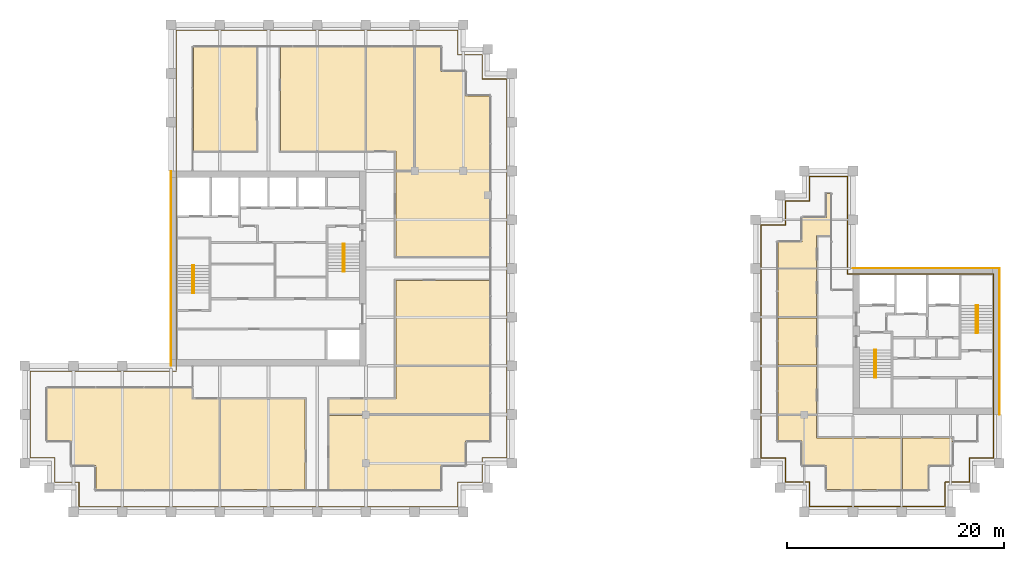
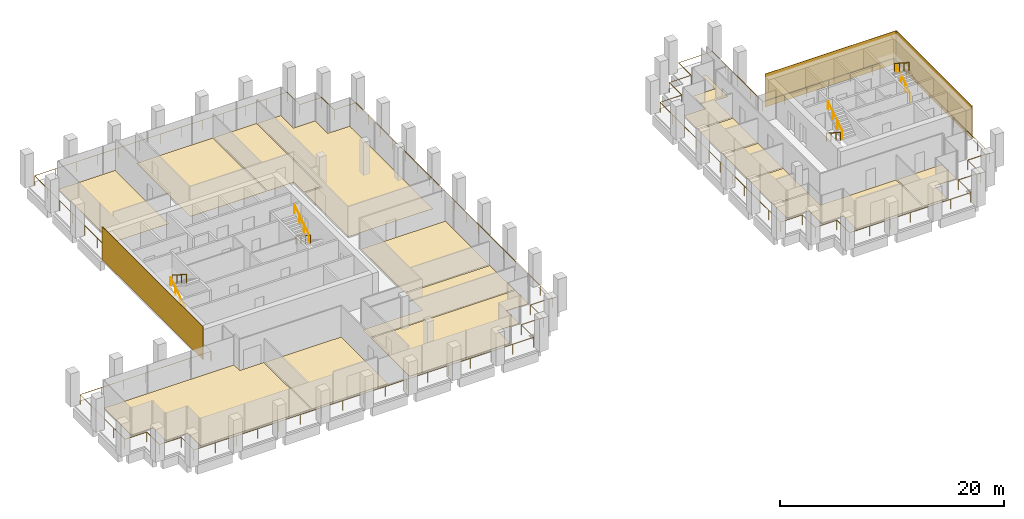
# One storey, part 40 of 40: 18 coverings, 10 railings.
"""IFC4 building model written with IfcOpenShell, lengths in metres."""

from ifc_helpers import new_model, si_unit, direction, frame, origin, origin_2d, place, context, subcontext, project, spatial, polyline, rectangle, circle, outline, extrude, source, transform, mapped, material, layer, layer_set, type_object, element, save


model = new_model("IFC4")

# Units and contexts
model_context = context("Model", 3, precision=1e-05, world=origin(), true_north=direction((0.0, 1.0)))
body_context = subcontext(model_context, "Body", "Model", "MODEL_VIEW")
ifc_project = project(units=[si_unit("LENGTHUNIT", "METRE"), si_unit("AREAUNIT", "SQUARE_METRE"), si_unit("VOLUMEUNIT", "CUBIC_METRE"), si_unit("PLANEANGLEUNIT", "RADIAN"), si_unit("MASSUNIT", "GRAM", prefix="KILO")], contexts=[model_context])

# Site, building, storey
site_placement = place(None, origin())
site = spatial("IfcSite", under=ifc_project, at=site_placement, CompositionType="ELEMENT")
building_placement = place(site_placement, origin())
building = spatial("IfcBuilding", under=site, at=building_placement, Name="Altepetl Exchange Towers", CompositionType="ELEMENT")
storey_placement = place(building_placement, frame((0.0, 0.0, 187.0)))
storey = spatial("IfcBuildingStorey", under=building, at=storey_placement, Name="L47", CompositionType="ELEMENT", Elevation=187.0)

# Coverings
ifc_material_1 = material(Name="Carpet tile")
ifc_layer_1 = layer(ifc_material_1, 0.02001953125)
ifc_layer_set_1 = layer_set([ifc_layer_1], Name="Carpet tile")
covering_type_1 = type_object("IfcCoveringType", Name="Carpet tile floor", PredefinedType="FLOORING", material=ifc_layer_set_1)
covering_1_placement = place(storey_placement, origin())
element("IfcCovering", 1, at=covering_1_placement, inside=storey, type_object=covering_type_1, Name="Fund office floor finish A47.02", PredefinedType="FLOORING", context=body_context, shape_type="SweptSolid", body=[
    extrude(outline(polyline([(45.0625, 37.4375), (45.0625, 29.0625), (52.887451171875, 29.0625), (52.887451171875, 37.4375), (45.0625, 37.4375)])), origin(), (0.0, 0.0, 1.0), 0.02001953125),
])
covering_2_placement = place(storey_placement, origin())
element("IfcCovering", 2, at=covering_2_placement, inside=storey, type_object=covering_type_1, Name="Print room floor finish A47.04", PredefinedType="FLOORING", context=body_context, shape_type="SweptSolid", body=[
    extrude(outline(polyline([(55.112548828125, 36.0625), (69.9375, 36.0625), (69.9375, 40.4375), (61.262451171875, 40.4375), (61.262451171875, 37.4375), (55.112548828125, 37.4375), (55.112548828125, 36.0625)])), origin(), (0.0, 0.0, 1.0), 0.02001953125),
])
covering_3_placement = place(storey_placement, origin())
element("IfcCovering", 3, at=covering_3_placement, inside=storey, type_object=covering_type_1, Name="Open office floor finish A47.05", PredefinedType="FLOORING", context=body_context, shape_type="SweptSolid", body=[
    extrude(outline(polyline([(61.262451171875, 40.5625), (69.9375, 40.5625), (69.9375, 48.387451171875), (61.262451171875, 48.387451171875), (61.262451171875, 40.5625)])), origin(), (0.0, 0.0, 1.0), 0.02001953125),
])
covering_4_placement = place(storey_placement, origin())
element("IfcCovering", 4, at=covering_4_placement, inside=storey, type_object=covering_type_1, Name="Fund office floor finish A47.06", PredefinedType="FLOORING", context=body_context, shape_type="SweptSolid", body=[
    extrude(outline(polyline([(61.262451171875, 50.612548828125), (69.9375, 50.612548828125), (69.9375, 65.4375), (67.6875, 65.4375), (67.6875, 67.6875), (65.4375, 67.6875), (65.4375, 69.9375), (63.0625, 69.9375), (63.0625, 58.4375), (61.262451171875, 58.4375), (61.262451171875, 50.612548828125)])), origin(), (0.0, 0.0, 1.0), 0.02001953125),
])
covering_5_placement = place(storey_placement, origin())
element("IfcCovering", 5, at=covering_5_placement, inside=storey, type_object=covering_type_1, Name="Huddle room floor finish A47.08", PredefinedType="FLOORING", context=body_context, shape_type="SweptSolid", body=[
    extrude(outline(polyline([(42.5625, 60.362548828125), (48.387451171875, 60.362548828125), (48.387451171875, 69.9375), (42.5625, 69.9375), (42.5625, 60.362548828125)])), origin(), (0.0, 0.0, 1.0), 0.02001953125),
])
covering_6_placement = place(storey_placement, origin())
element("IfcCovering", 6, at=covering_6_placement, inside=storey, type_object=covering_type_1, Name="Fund office floor finish B47.01", PredefinedType="FLOORING", context=body_context, shape_type="SweptSolid", body=[
    extrude(outline(polyline([(96.5625, 40.5625), (100.137451171875, 40.5625), (100.137451171875, 44.9375), (96.5625, 44.9375), (96.5625, 40.5625)])), origin(), (0.0, 0.0, 1.0), 0.02001953125),
])
covering_7_placement = place(storey_placement, origin())
element("IfcCovering", 7, at=covering_7_placement, inside=storey, type_object=covering_type_1, Name="Fund office floor finish B47.02", PredefinedType="FLOORING", context=body_context, shape_type="SweptSolid", body=[
    extrude(outline(polyline([(96.5625, 36.0625), (100.137451171875, 36.0625), (100.137451171875, 40.4375), (96.5625, 40.4375), (96.5625, 36.0625)])), origin(), (0.0, 0.0, 1.0), 0.02001953125),
])
covering_8_placement = place(storey_placement, origin())
element("IfcCovering", 8, at=covering_8_placement, inside=storey, type_object=covering_type_1, Name="Open office floor finish B47.03", PredefinedType="FLOORING", context=body_context, shape_type="SweptSolid", body=[
    extrude(outline(polyline([(98.8125, 33.5625), (98.8125, 31.3125), (101.0625, 31.3125), (101.0625, 29.0625), (107.9375, 29.0625), (107.9375, 33.83740234375), (100.137451171875, 33.83740234375), (100.137451171875, 35.9375), (96.5625, 35.9375), (96.5625, 33.5625), (98.8125, 33.5625)])), origin(), (0.0, 0.0, 1.0), 0.02001953125),
])
covering_9_placement = place(storey_placement, origin())
element("IfcCovering", 9, at=covering_9_placement, inside=storey, type_object=covering_type_1, Name="Meeting room floor finish B47.05", PredefinedType="FLOORING", context=body_context, shape_type="SweptSolid", body=[
    extrude(outline(polyline([(96.5625, 49.5625), (100.137451171875, 49.5625), (100.137451171875, 52.5625), (101.4375, 52.5625), (101.4375, 56.4375), (101.0625, 56.4375), (101.0625, 54.1875), (98.8125, 54.1875), (98.8125, 51.9375), (96.5625, 51.9375), (96.5625, 49.5625)])), origin(), (0.0, 0.0, 1.0), 0.02001953125),
])
covering_10_placement = place(storey_placement, origin())
element("IfcCovering", 10, at=covering_10_placement, inside=storey, type_object=covering_type_1, Name="Fund office floor finish B47.06", PredefinedType="FLOORING", context=body_context, shape_type="SweptSolid", body=[
    extrude(outline(polyline([(96.5625, 45.0625), (100.137451171875, 45.0625), (100.137451171875, 49.4375), (96.5625, 49.4375), (96.5625, 45.0625)])), origin(), (0.0, 0.0, 1.0), 0.02001953125),
])
ifc_material_2 = material(Name="Cantera stone", Category="masonry")
ifc_layer_2 = layer(ifc_material_2, 0.030029296875)
ifc_layer_set_2 = layer_set([ifc_layer_2], Name="Cantera stone")
covering_type_2 = type_object("IfcCoveringType", Name="Polished stone floor", PredefinedType="FLOORING", material=ifc_layer_set_2)
covering_11_placement = place(storey_placement, origin())
element("IfcCovering", 11, at=covering_11_placement, inside=storey, type_object=covering_type_2, Name="Staff club floor finish A47.03", PredefinedType="FLOORING", context=body_context, shape_type="SweptSolid", body=[
    extrude(outline(polyline([(44.9375, 37.4375), (42.4375, 37.4375), (42.4375, 38.4375), (29.0625, 38.4375), (29.0625, 33.5625), (31.3125, 33.5625), (31.3125, 31.3125), (33.5625, 31.3125), (33.5625, 29.0625), (44.9375, 29.0625), (44.9375, 37.4375)])), origin(), (0.0, 0.0, 1.0), 0.030029296875),
])
covering_12_placement = place(storey_placement, origin())
element("IfcCovering", 12, at=covering_12_placement, inside=storey, type_object=covering_type_2, Name="Library floor finish A47.09", PredefinedType="FLOORING", context=body_context, shape_type="SweptSolid", body=[
    extrude(outline(polyline([(58.4375, 60.362548828125), (58.4375, 69.9375), (50.612548828125, 69.9375), (50.612548828125, 60.362548828125), (58.4375, 60.362548828125)])), origin(), (0.0, 0.0, 1.0), 0.030029296875),
])
covering_13_placement = place(storey_placement, origin())
element("IfcCovering", 13, at=covering_13_placement, inside=storey, type_object=covering_type_2, Name="Cafe floor finish B47.04", PredefinedType="FLOORING", context=body_context, shape_type="SweptSolid", body=[
    extrude(outline(polyline([(108.0625, 33.83740234375), (108.0625, 29.0625), (110.4375, 29.0625), (110.4375, 31.3125), (112.6875, 31.3125), (112.6875, 33.83740234375), (108.0625, 33.83740234375)])), origin(), (0.0, 0.0, 1.0), 0.030029296875),
])
ifc_material_3 = material(Name="Calcium sulphate access floor panel")
ifc_layer_3 = layer(ifc_material_3, 0.0400390625)
ifc_layer_set_3 = layer_set([ifc_layer_3], Name="Calcium sulphate access floor panel")
covering_type_3 = type_object("IfcCoveringType", Name="Raised access floor panels", PredefinedType="FLOORING", material=ifc_layer_set_3)
covering_14_placement = place(storey_placement, origin())
element("IfcCovering", 14, at=covering_14_placement, inside=storey, type_object=covering_type_3, Name="Treasury office floor finish A47.01", PredefinedType="FLOORING", context=body_context, shape_type="SweptSolid", body=[
    extrude(outline(polyline([(67.6875, 31.3125), (67.6875, 33.5625), (69.9375, 33.5625), (69.9375, 35.9375), (55.112548828125, 35.9375), (55.112548828125, 29.0625), (65.4375, 29.0625), (65.4375, 31.3125), (67.6875, 31.3125)])), origin(), (0.0, 0.0, 1.0), 0.0400390625),
])
covering_15_placement = place(storey_placement, origin())
element("IfcCovering", 15, at=covering_15_placement, inside=storey, type_object=covering_type_3, Name="Data room floor finish A47.07", PredefinedType="FLOORING", context=body_context, shape_type="SweptSolid", body=[
    extrude(outline(polyline([(61.262451171875, 58.5625), (62.9375, 58.5625), (62.9375, 69.9375), (58.5625, 69.9375), (58.5625, 60.362548828125), (61.262451171875, 60.362548828125), (61.262451171875, 58.5625)])), origin(), (0.0, 0.0, 1.0), 0.0400390625),
])
ifc_material_4 = material(Name="Cantera limestone cladding", Category="masonry")
ifc_layer_4 = layer(ifc_material_4, 0.0400390625)
ifc_layer_set_4 = layer_set([ifc_layer_4], Name="Cantera limestone cladding")
covering_type_4 = type_object("IfcCoveringType", Name="Stone panel 40 cantera", PredefinedType="CLADDING", material=ifc_layer_set_4)
covering_16_placement = place(storey_placement, frame((40.47998046875, 49.5, 0.0), z_axis=(0.0, 0.0, 1.0), x_axis=(0.0, -1.0, 0.0)))
element("IfcCovering", 16, at=covering_16_placement, inside=storey, type_object=covering_type_4, Name="Stone cladding panel", PredefinedType="CLADDING", context=body_context, shape_type="SweptSolid", body=[
    extrude(rectangle(XDim=18.0, YDim=0.0400390625, at=origin_2d()), origin(), (0.0, 0.0, 1.0), 3.60009765625),
])
for number, where, z_axis, x_axis, name in (
    (17, (117.02001953125, 42.75, 0.0), (0.0, 0.0, 1.0), (0.0, 1.0, 0.0), "Stone cladding panel"),
    (18, (110.25, 49.52001953125, 0.0), (0.0, 0.0, 1.0), (-1.0, 0.0, 0.0), "Stone cladding panel"),
):
    element("IfcCovering", number, at=place(storey_placement, frame(where, z_axis=z_axis, x_axis=x_axis)), inside=storey, type_object=covering_type_4, Name=name, PredefinedType="CLADDING", context=body_context, shape_type="SweptSolid", body=[
        extrude(rectangle(XDim=13.5, YDim=0.0400390625, at=origin_2d()), origin(), (0.0, 0.0, 1.0), 3.60009765625),
    ])

# Railings
ifc_material_5 = material(Name="Steel S355", Category="steel")
railing_type_1 = type_object("IfcRailingType", Name="Guard 1100 steel posts and rail", PredefinedType="GUARDRAIL", material=ifc_material_5)
shared_shape_1 = source(origin(), body_context, "Body", "SweptSolid", [
    extrude(circle(Radius=0.02099609375, at=origin_2d()), origin(), (0.0, 0.0, 1.0), 1.052001953125),
])
railing_1_placement = place(storey_placement, frame((41.0, 40.0, 0.0)))
element("IfcRailing", 19, at=railing_1_placement, inside=storey, type_object=railing_type_1, Name="Loggia guard", PredefinedType="GUARDRAIL", context=body_context, shape_type="SweptSolid", body=[
    extrude(circle(Radius=0.02392578125, at=origin_2d()), frame((0.0, 0.0, 1.076171875), z_axis=(-1.0, 0.0, 0.0), x_axis=(0.0, -1.0, 0.0)), (0.0, 0.0, 1.0), 13.5),
    extrude(circle(Radius=0.02392578125, at=origin_2d()), frame((-13.5, 0.0, 1.076171875), z_axis=(0.0, -1.0, 0.0), x_axis=(1.0, 0.0, 0.0)), (0.0, 0.0, 1.0), 8.0),
    extrude(circle(Radius=0.02392578125, at=origin_2d()), frame((-13.5, -8.0, 1.076171875), z_axis=(1.0, 0.0, 0.0), x_axis=(0.0, 1.0, 0.0)), (0.0, 0.0, 1.0), 2.25),
    extrude(circle(Radius=0.02392578125, at=origin_2d()), frame((-11.25, -8.0, 1.076171875), z_axis=(0.0, -1.0, 0.0), x_axis=(1.0, 0.0, 0.0)), (0.0, 0.0, 1.0), 2.25),
    extrude(circle(Radius=0.02392578125, at=origin_2d()), frame((-11.25, -10.25, 1.076171875), z_axis=(1.0, 0.0, 0.0), x_axis=(0.0, 1.0, 0.0)), (0.0, 0.0, 1.0), 2.25),
    extrude(circle(Radius=0.02392578125, at=origin_2d()), frame((-9.0, -10.25, 1.076171875), z_axis=(0.0, -1.0, 0.0), x_axis=(1.0, 0.0, 0.0)), (0.0, 0.0, 1.0), 2.25),
    extrude(circle(Radius=0.02392578125, at=origin_2d()), frame((-9.0, -12.5, 1.076171875), z_axis=(1.0, 0.0, 0.0), x_axis=(0.0, 1.0, 0.0)), (0.0, 0.0, 1.0), 35.0),
    extrude(circle(Radius=0.02392578125, at=origin_2d()), frame((26.0, -12.5, 1.076171875), z_axis=(0.0, 1.0, 0.0), x_axis=(-1.0, 0.0, 0.0)), (0.0, 0.0, 1.0), 2.25),
    extrude(circle(Radius=0.02392578125, at=origin_2d()), frame((26.0, -10.25, 1.076171875), z_axis=(1.0, 0.0, 0.0), x_axis=(0.0, 1.0, 0.0)), (0.0, 0.0, 1.0), 2.25),
    extrude(circle(Radius=0.02392578125, at=origin_2d()), frame((28.25, -10.25, 1.076171875), z_axis=(0.0, 1.0, 0.0), x_axis=(-1.0, 0.0, 0.0)), (0.0, 0.0, 1.0), 2.25),
    extrude(circle(Radius=0.02392578125, at=origin_2d()), frame((28.25, -8.0, 1.076171875), z_axis=(1.0, 0.0, 0.0), x_axis=(0.0, 1.0, 0.0)), (0.0, 0.0, 1.0), 2.25),
    extrude(circle(Radius=0.02392578125, at=origin_2d()), frame((30.5, -8.0, 1.076171875), z_axis=(0.0, 1.0, 0.0), x_axis=(-1.0, 0.0, 0.0)), (0.0, 0.0, 1.0), 35.0),
    extrude(circle(Radius=0.02392578125, at=origin_2d()), frame((30.5, 27.0, 1.076171875), z_axis=(-1.0, 0.0, 0.0), x_axis=(0.0, -1.0, 0.0)), (0.0, 0.0, 1.0), 2.25),
    extrude(circle(Radius=0.02392578125, at=origin_2d()), frame((28.25, 27.0, 1.076171875), z_axis=(0.0, 1.0, 0.0), x_axis=(-1.0, 0.0, 0.0)), (0.0, 0.0, 1.0), 2.25),
    extrude(circle(Radius=0.02392578125, at=origin_2d()), frame((28.25, 29.25, 1.076171875), z_axis=(-1.0, 0.0, 0.0), x_axis=(0.0, -1.0, 0.0)), (0.0, 0.0, 1.0), 2.25),
    extrude(circle(Radius=0.02392578125, at=origin_2d()), frame((26.0, 29.25, 1.076171875), z_axis=(0.0, 1.0, 0.0), x_axis=(-1.0, 0.0, 0.0)), (0.0, 0.0, 1.0), 2.25),
    extrude(circle(Radius=0.02392578125, at=origin_2d()), frame((26.0, 31.5, 1.076171875), z_axis=(-1.0, 0.0, 0.0), x_axis=(0.0, -1.0, 0.0)), (0.0, 0.0, 1.0), 26.0),
    extrude(circle(Radius=0.02392578125, at=origin_2d()), frame((0.0, 31.5, 1.076171875), z_axis=(0.0, -1.0, 0.0), x_axis=(1.0, 0.0, 0.0)), (0.0, 0.0, 1.0), 31.39990234375),
    mapped(shared_shape_1, transform((0.0, 0.0, 0.0))),
    mapped(shared_shape_1, transform((-2.25, 0.0, 0.0))),
    mapped(shared_shape_1, transform((-4.5, 0.0, 0.0))),
    mapped(shared_shape_1, transform((-6.75, 0.0, 0.0))),
    mapped(shared_shape_1, transform((-9.0, 0.0, 0.0))),
    mapped(shared_shape_1, transform((-11.25, 0.0, 0.0))),
    mapped(shared_shape_1, transform((-13.5, 0.0, 0.0))),
    mapped(shared_shape_1, transform((-13.5, -2.0, 0.0))),
    mapped(shared_shape_1, transform((-13.5, -4.0, 0.0))),
    mapped(shared_shape_1, transform((-13.5, -6.0, 0.0))),
    mapped(shared_shape_1, transform((-13.5, -8.0, 0.0))),
    mapped(shared_shape_1, transform((-11.25, -8.0, 0.0))),
    mapped(shared_shape_1, transform((-11.25, -10.25, 0.0))),
    mapped(shared_shape_1, transform((-9.0, -10.25, 0.0))),
    mapped(shared_shape_1, transform((-9.0, -12.5, 0.0))),
    mapped(shared_shape_1, transform((-6.8125, -12.5, 0.0))),
    mapped(shared_shape_1, transform((-4.625, -12.5, 0.0))),
    mapped(shared_shape_1, transform((-2.4375, -12.5, 0.0))),
    mapped(shared_shape_1, transform((-0.25, -12.5, 0.0))),
    mapped(shared_shape_1, transform((1.9375, -12.5, 0.0))),
    mapped(shared_shape_1, transform((4.125, -12.5, 0.0))),
    mapped(shared_shape_1, transform((6.3125, -12.5, 0.0))),
    mapped(shared_shape_1, transform((8.5, -12.5, 0.0))),
    mapped(shared_shape_1, transform((10.6875, -12.5, 0.0))),
    mapped(shared_shape_1, transform((12.875, -12.5, 0.0))),
    mapped(shared_shape_1, transform((15.0625, -12.5, 0.0))),
    mapped(shared_shape_1, transform((17.25, -12.5, 0.0))),
    mapped(shared_shape_1, transform((19.4375, -12.5, 0.0))),
    mapped(shared_shape_1, transform((21.625, -12.5, 0.0))),
    mapped(shared_shape_1, transform((23.8125, -12.5, 0.0))),
    mapped(shared_shape_1, transform((26.0, -12.5, 0.0))),
    mapped(shared_shape_1, transform((26.0, -10.25, 0.0))),
    mapped(shared_shape_1, transform((28.25, -10.25, 0.0))),
    mapped(shared_shape_1, transform((28.25, -8.0, 0.0))),
    mapped(shared_shape_1, transform((30.5, -8.0, 0.0))),
    mapped(shared_shape_1, transform((30.5, -5.8125, 0.0))),
    mapped(shared_shape_1, transform((30.5, -3.625, 0.0))),
    mapped(shared_shape_1, transform((30.5, -1.4375, 0.0))),
    mapped(shared_shape_1, transform((30.5, 0.75, 0.0))),
    mapped(shared_shape_1, transform((30.5, 2.9375, 0.0))),
    mapped(shared_shape_1, transform((30.5, 5.125, 0.0))),
    mapped(shared_shape_1, transform((30.5, 7.3125, 0.0))),
    mapped(shared_shape_1, transform((30.5, 9.5, 0.0))),
    mapped(shared_shape_1, transform((30.5, 11.6875, 0.0))),
    mapped(shared_shape_1, transform((30.5, 13.875, 0.0))),
    mapped(shared_shape_1, transform((30.5, 16.0625, 0.0))),
    mapped(shared_shape_1, transform((30.5, 18.25, 0.0))),
    mapped(shared_shape_1, transform((30.5, 20.4375, 0.0))),
    mapped(shared_shape_1, transform((30.5, 22.625, 0.0))),
    mapped(shared_shape_1, transform((30.5, 24.8125, 0.0))),
    mapped(shared_shape_1, transform((30.5, 27.0, 0.0))),
    mapped(shared_shape_1, transform((28.25, 27.0, 0.0))),
    mapped(shared_shape_1, transform((28.25, 29.25, 0.0))),
    mapped(shared_shape_1, transform((26.0, 29.25, 0.0))),
    mapped(shared_shape_1, transform((26.0, 31.5, 0.0))),
    mapped(shared_shape_1, transform((23.833251953125, 31.5, 0.0))),
    mapped(shared_shape_1, transform((21.666748046875, 31.5, 0.0))),
    mapped(shared_shape_1, transform((19.5, 31.5, 0.0))),
    mapped(shared_shape_1, transform((17.333251953125, 31.5, 0.0))),
    mapped(shared_shape_1, transform((15.166748046875, 31.5, 0.0))),
    mapped(shared_shape_1, transform((13.0, 31.5, 0.0))),
    mapped(shared_shape_1, transform((10.833251953125, 31.5, 0.0))),
    mapped(shared_shape_1, transform((8.666748046875, 31.5, 0.0))),
    mapped(shared_shape_1, transform((6.5, 31.5, 0.0))),
    mapped(shared_shape_1, transform((4.333251953125, 31.5, 0.0))),
    mapped(shared_shape_1, transform((2.166748046875, 31.5, 0.0))),
    mapped(shared_shape_1, transform((0.0, 31.5, 0.0))),
    mapped(shared_shape_1, transform((0.0, 29.257080078125, 0.0))),
    mapped(shared_shape_1, transform((0.0, 27.014404296875, 0.0))),
    mapped(shared_shape_1, transform((0.0, 24.771484375, 0.0))),
    mapped(shared_shape_1, transform((0.0, 22.528564453125, 0.0))),
    mapped(shared_shape_1, transform((0.0, 20.28564453125, 0.0))),
    mapped(shared_shape_1, transform((0.0, 18.04296875, 0.0))),
    mapped(shared_shape_1, transform((0.0, 15.800048828125, 0.0))),
    mapped(shared_shape_1, transform((0.0, 13.55712890625, 0.0))),
    mapped(shared_shape_1, transform((0.0, 11.314453125, 0.0))),
    mapped(shared_shape_1, transform((0.0, 9.071533203125, 0.0))),
    mapped(shared_shape_1, transform((0.0, 6.82861328125, 0.0))),
    mapped(shared_shape_1, transform((0.0, 4.585693359375, 0.0))),
    mapped(shared_shape_1, transform((0.0, 2.343017578125, 0.0))),
    mapped(shared_shape_1, transform((0.0, 0.10009765625, 0.0))),
])
railing_2_placement = place(storey_placement, frame((99.5, 27.5, 0.0)))
element("IfcRailing", 20, at=railing_2_placement, inside=storey, type_object=railing_type_1, Name="Loggia guard", PredefinedType="GUARDRAIL", context=body_context, shape_type="SweptSolid", body=[
    extrude(circle(Radius=0.02392578125, at=origin_2d()), frame((0.0, 0.0, 1.076171875), z_axis=(1.0, 0.0, 0.0), x_axis=(0.0, 1.0, 0.0)), (0.0, 0.0, 1.0), 12.5),
    extrude(circle(Radius=0.02392578125, at=origin_2d()), frame((12.5, 0.0, 1.076171875), z_axis=(0.0, 1.0, 0.0), x_axis=(-1.0, 0.0, 0.0)), (0.0, 0.0, 1.0), 2.25),
    extrude(circle(Radius=0.02392578125, at=origin_2d()), frame((12.5, 2.25, 1.076171875), z_axis=(1.0, 0.0, 0.0), x_axis=(0.0, 1.0, 0.0)), (0.0, 0.0, 1.0), 2.25),
    extrude(circle(Radius=0.02392578125, at=origin_2d()), frame((14.75, 2.25, 1.076171875), z_axis=(0.0, 1.0, 0.0), x_axis=(-1.0, 0.0, 0.0)), (0.0, 0.0, 1.0), 2.25),
    extrude(circle(Radius=0.02392578125, at=origin_2d()), frame((14.75, 4.5, 1.076171875), z_axis=(1.0, 0.0, 0.0), x_axis=(0.0, 1.0, 0.0)), (0.0, 0.0, 1.0), 2.25),
    extrude(circle(Radius=0.02392578125, at=origin_2d()), frame((17.0, 4.5, 1.076171875), z_axis=(0.0, 1.0, 0.0), x_axis=(-1.0, 0.0, 0.0)), (0.0, 0.0, 1.0), 17.0),
    extrude(circle(Radius=0.02392578125, at=origin_2d()), frame((17.0, 21.5, 1.076171875), z_axis=(-1.0, 0.0, 0.0), x_axis=(0.0, -1.0, 0.0)), (0.0, 0.0, 1.0), 13.5),
    extrude(circle(Radius=0.02392578125, at=origin_2d()), frame((3.5, 21.5, 1.076171875), z_axis=(0.0, 1.0, 0.0), x_axis=(-1.0, 0.0, 0.0)), (0.0, 0.0, 1.0), 9.0),
    extrude(circle(Radius=0.02392578125, at=origin_2d()), frame((3.5, 30.5, 1.076171875), z_axis=(-1.0, 0.0, 0.0), x_axis=(0.0, -1.0, 0.0)), (0.0, 0.0, 1.0), 3.5),
    extrude(circle(Radius=0.02392578125, at=origin_2d()), frame((0.0, 30.5, 1.076171875), z_axis=(0.0, -1.0, 0.0), x_axis=(1.0, 0.0, 0.0)), (0.0, 0.0, 1.0), 2.25),
    extrude(circle(Radius=0.02392578125, at=origin_2d()), frame((0.0, 28.25, 1.076171875), z_axis=(-1.0, 0.0, 0.0), x_axis=(0.0, -1.0, 0.0)), (0.0, 0.0, 1.0), 2.25),
    extrude(circle(Radius=0.02392578125, at=origin_2d()), frame((-2.25, 28.25, 1.076171875), z_axis=(0.0, -1.0, 0.0), x_axis=(1.0, 0.0, 0.0)), (0.0, 0.0, 1.0), 2.25),
    extrude(circle(Radius=0.02392578125, at=origin_2d()), frame((-2.25, 26.0, 1.076171875), z_axis=(-1.0, 0.0, 0.0), x_axis=(0.0, -1.0, 0.0)), (0.0, 0.0, 1.0), 2.25),
    extrude(circle(Radius=0.02392578125, at=origin_2d()), frame((-4.5, 26.0, 1.076171875), z_axis=(0.0, -1.0, 0.0), x_axis=(1.0, 0.0, 0.0)), (0.0, 0.0, 1.0), 21.5),
    extrude(circle(Radius=0.02392578125, at=origin_2d()), frame((-4.5, 4.5, 1.076171875), z_axis=(1.0, 0.0, 0.0), x_axis=(0.0, 1.0, 0.0)), (0.0, 0.0, 1.0), 2.25),
    extrude(circle(Radius=0.02392578125, at=origin_2d()), frame((-2.25, 4.5, 1.076171875), z_axis=(0.0, -1.0, 0.0), x_axis=(1.0, 0.0, 0.0)), (0.0, 0.0, 1.0), 2.25),
    extrude(circle(Radius=0.02392578125, at=origin_2d()), frame((-2.25, 2.25, 1.076171875), z_axis=(1.0, 0.0, 0.0), x_axis=(0.0, 1.0, 0.0)), (0.0, 0.0, 1.0), 2.25),
    extrude(circle(Radius=0.02392578125, at=origin_2d()), frame((0.0, 2.25, 1.076171875), z_axis=(0.0, -1.0, 0.0), x_axis=(1.0, 0.0, 0.0)), (0.0, 0.0, 1.0), 2.14990234375),
    mapped(shared_shape_1, transform((0.0, 0.0, 0.0))),
    mapped(shared_shape_1, transform((2.083251953125, 0.0, 0.0))),
    mapped(shared_shape_1, transform((4.166748046875, 0.0, 0.0))),
    mapped(shared_shape_1, transform((6.25, 0.0, 0.0))),
    mapped(shared_shape_1, transform((8.333251953125, 0.0, 0.0))),
    mapped(shared_shape_1, transform((10.416748046875, 0.0, 0.0))),
    mapped(shared_shape_1, transform((12.5, 0.0, 0.0))),
    mapped(shared_shape_1, transform((12.5, 2.25, 0.0))),
    mapped(shared_shape_1, transform((14.75, 2.25, 0.0))),
    mapped(shared_shape_1, transform((14.75, 4.5, 0.0))),
    mapped(shared_shape_1, transform((17.0, 4.5, 0.0))),
    mapped(shared_shape_1, transform((17.0, 6.625, 0.0))),
    mapped(shared_shape_1, transform((17.0, 8.75, 0.0))),
    mapped(shared_shape_1, transform((17.0, 10.875, 0.0))),
    mapped(shared_shape_1, transform((17.0, 13.0, 0.0))),
    mapped(shared_shape_1, transform((17.0, 15.125, 0.0))),
    mapped(shared_shape_1, transform((17.0, 17.25, 0.0))),
    mapped(shared_shape_1, transform((17.0, 19.375, 0.0))),
    mapped(shared_shape_1, transform((17.0, 21.5, 0.0))),
    mapped(shared_shape_1, transform((14.75, 21.5, 0.0))),
    mapped(shared_shape_1, transform((12.5, 21.5, 0.0))),
    mapped(shared_shape_1, transform((10.25, 21.5, 0.0))),
    mapped(shared_shape_1, transform((8.0, 21.5, 0.0))),
    mapped(shared_shape_1, transform((5.75, 21.5, 0.0))),
    mapped(shared_shape_1, transform((3.5, 21.5, 0.0))),
    mapped(shared_shape_1, transform((3.5, 23.75, 0.0))),
    mapped(shared_shape_1, transform((3.5, 26.0, 0.0))),
    mapped(shared_shape_1, transform((3.5, 28.25, 0.0))),
    mapped(shared_shape_1, transform((3.5, 30.5, 0.0))),
    mapped(shared_shape_1, transform((1.75, 30.5, 0.0))),
    mapped(shared_shape_1, transform((0.0, 30.5, 0.0))),
    mapped(shared_shape_1, transform((0.0, 28.25, 0.0))),
    mapped(shared_shape_1, transform((-2.25, 28.25, 0.0))),
    mapped(shared_shape_1, transform((-2.25, 26.0, 0.0))),
    mapped(shared_shape_1, transform((-4.5, 26.0, 0.0))),
    mapped(shared_shape_1, transform((-4.5, 23.85009765625, 0.0))),
    mapped(shared_shape_1, transform((-4.5, 21.699951171875, 0.0))),
    mapped(shared_shape_1, transform((-4.5, 19.550048828125, 0.0))),
    mapped(shared_shape_1, transform((-4.5, 17.39990234375, 0.0))),
    mapped(shared_shape_1, transform((-4.5, 15.25, 0.0))),
    mapped(shared_shape_1, transform((-4.5, 13.10009765625, 0.0))),
    mapped(shared_shape_1, transform((-4.5, 10.949951171875, 0.0))),
    mapped(shared_shape_1, transform((-4.5, 8.800048828125, 0.0))),
    mapped(shared_shape_1, transform((-4.5, 6.64990234375, 0.0))),
    mapped(shared_shape_1, transform((-4.5, 4.5, 0.0))),
    mapped(shared_shape_1, transform((-2.25, 4.5, 0.0))),
    mapped(shared_shape_1, transform((-2.25, 2.25, 0.0))),
    mapped(shared_shape_1, transform((0.0, 2.25, 0.0))),
    mapped(shared_shape_1, transform((0.0, 0.10009765625, 0.0))),
])
ifc_material_6 = material(Name="Steel", Category="steel")
railing_type_2 = type_object("IfcRailingType", Name="Stair handrail 50 steel tube", PredefinedType="HANDRAIL", material=ifc_material_6)
shared_shape_2 = source(origin(), body_context, "Body", "SweptSolid", [
    extrude(circle(Radius=0.02099609375, at=origin_2d()), origin(), (0.0, 0.0, 1.0), 0.851806640625),
])
railing_3_placement = place(storey_placement, frame((42.469970703125, 47.25, 0.179931640625)))
element("IfcRailing", 21, at=railing_3_placement, inside=storey, type_object=railing_type_2, Name="Stair handrail", PredefinedType="HANDRAIL", context=body_context, shape_type="SweptSolid", body=[
    extrude(circle(Radius=0.02392578125, at=origin_2d()), frame((0.0, 0.0, 0.8759765625), z_axis=(0.0, 0.841162588446, 0.540782303519), x_axis=(-1.0, 0.0, 0.0)), (0.0, 0.0, 1.0), 2.995849609375),
    mapped(shared_shape_2, transform((0.0, 0.0, 0.0))),
    mapped(shared_shape_2, transform((0.0, 0.840087890625, 0.5400390625))),
    mapped(shared_shape_2, transform((0.0, 1.679931640625, 1.080078125))),
    mapped(shared_shape_2, transform((0.0, 2.52001953125, 1.6201171875))),
])
for number, where, name in (
    (22, (42.6298828125, 49.77001953125, 1.97998046875), "Stair handrail"),
    (23, (56.530029296875, 51.75, 0.179931640625), "Stair handrail"),
):
    element("IfcRailing", number, at=place(storey_placement, frame(where)), inside=storey, type_object=railing_type_2, Name=name, PredefinedType="HANDRAIL", context=body_context, shape_type="SweptSolid", body=[
        extrude(circle(Radius=0.02392578125, at=origin_2d()), frame((0.0, 0.0, 0.8759765625), z_axis=(0.0, -0.841162588446, 0.540782303519), x_axis=(1.0, 0.0, 0.0)), (0.0, 0.0, 1.0), 2.995849609375),
        mapped(shared_shape_2, transform((0.0, 0.0, 0.0))),
        mapped(shared_shape_2, transform((0.0, -0.840087890625, 0.5400390625))),
        mapped(shared_shape_2, transform((0.0, -1.679931640625, 1.080078125))),
        mapped(shared_shape_2, transform((0.0, -2.52001953125, 1.6201171875))),
    ])
railing_4_placement = place(storey_placement, frame((56.3701171875, 49.22998046875, 1.97998046875)))
element("IfcRailing", 24, at=railing_4_placement, inside=storey, type_object=railing_type_2, Name="Stair handrail", PredefinedType="HANDRAIL", context=body_context, shape_type="SweptSolid", body=[
    extrude(circle(Radius=0.02392578125, at=origin_2d()), frame((0.0, 0.0, 0.8759765625), z_axis=(0.0, 0.841162588446, 0.540782303519), x_axis=(-1.0, 0.0, 0.0)), (0.0, 0.0, 1.0), 2.995849609375),
    mapped(shared_shape_2, transform((0.0, 0.0, 0.0))),
    mapped(shared_shape_2, transform((0.0, 0.840087890625, 0.5400390625))),
    mapped(shared_shape_2, transform((0.0, 1.679931640625, 1.080078125))),
    mapped(shared_shape_2, transform((0.0, 2.52001953125, 1.6201171875))),
])
railing_5_placement = place(storey_placement, frame((105.469970703125, 41.949951171875, 0.179931640625)))
element("IfcRailing", 25, at=railing_5_placement, inside=storey, type_object=railing_type_2, Name="Stair handrail", PredefinedType="HANDRAIL", context=body_context, shape_type="SweptSolid", body=[
    extrude(circle(Radius=0.02392578125, at=origin_2d()), frame((0.0, 0.0, 0.8759765625), z_axis=(0.0, -0.841162588446, 0.540782303519), x_axis=(1.0, 0.0, 0.0)), (0.0, 0.0, 1.0), 2.995849609375),
    mapped(shared_shape_2, transform((0.0, 0.0, 0.0))),
    mapped(shared_shape_2, transform((0.0, -0.840087890625, 0.5400390625))),
    mapped(shared_shape_2, transform((0.0, -1.679931640625, 1.080078125))),
    mapped(shared_shape_2, transform((0.0, -2.52001953125, 1.6201171875))),
])
for number, where, name in (
    (26, (105.6298828125, 39.429931640625, 1.97998046875), "Stair handrail"),
    (27, (115.030029296875, 43.550048828125, 0.179931640625), "Stair handrail"),
):
    element("IfcRailing", number, at=place(storey_placement, frame(where)), inside=storey, type_object=railing_type_2, Name=name, PredefinedType="HANDRAIL", context=body_context, shape_type="SweptSolid", body=[
        extrude(circle(Radius=0.02392578125, at=origin_2d()), frame((0.0, 0.0, 0.8759765625), z_axis=(0.0, 0.841162588446, 0.540782303519), x_axis=(-1.0, 0.0, 0.0)), (0.0, 0.0, 1.0), 2.995849609375),
        mapped(shared_shape_2, transform((0.0, 0.0, 0.0))),
        mapped(shared_shape_2, transform((0.0, 0.840087890625, 0.5400390625))),
        mapped(shared_shape_2, transform((0.0, 1.679931640625, 1.080078125))),
        mapped(shared_shape_2, transform((0.0, 2.52001953125, 1.6201171875))),
    ])
railing_6_placement = place(storey_placement, frame((114.8701171875, 46.070068359375, 1.97998046875)))
element("IfcRailing", 28, at=railing_6_placement, inside=storey, type_object=railing_type_2, Name="Stair handrail", PredefinedType="HANDRAIL", context=body_context, shape_type="SweptSolid", body=[
    extrude(circle(Radius=0.02392578125, at=origin_2d()), frame((0.0, 0.0, 0.8759765625), z_axis=(0.0, -0.841162588446, 0.540782303519), x_axis=(1.0, 0.0, 0.0)), (0.0, 0.0, 1.0), 2.995849609375),
    mapped(shared_shape_2, transform((0.0, 0.0, 0.0))),
    mapped(shared_shape_2, transform((0.0, -0.840087890625, 0.5400390625))),
    mapped(shared_shape_2, transform((0.0, -1.679931640625, 1.080078125))),
    mapped(shared_shape_2, transform((0.0, -2.52001953125, 1.6201171875))),
])

save(model, "model.ifc")
